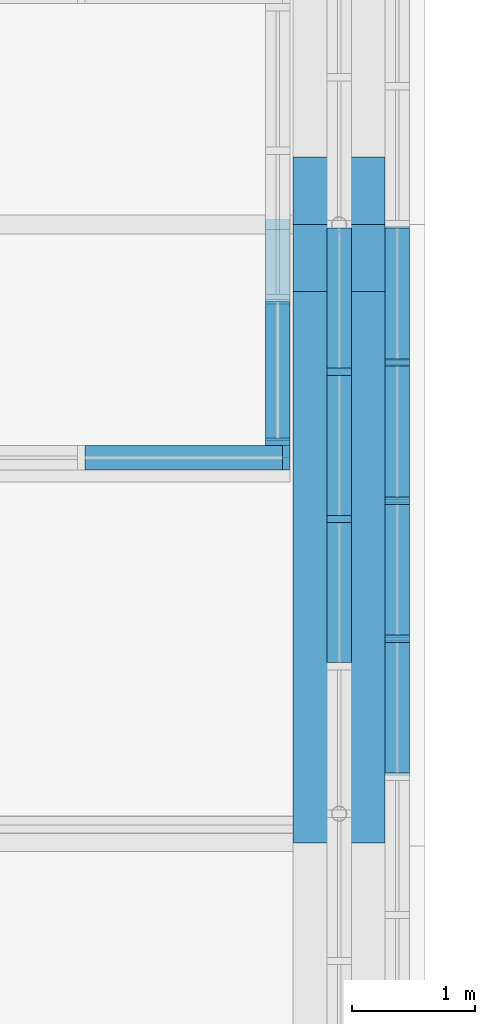
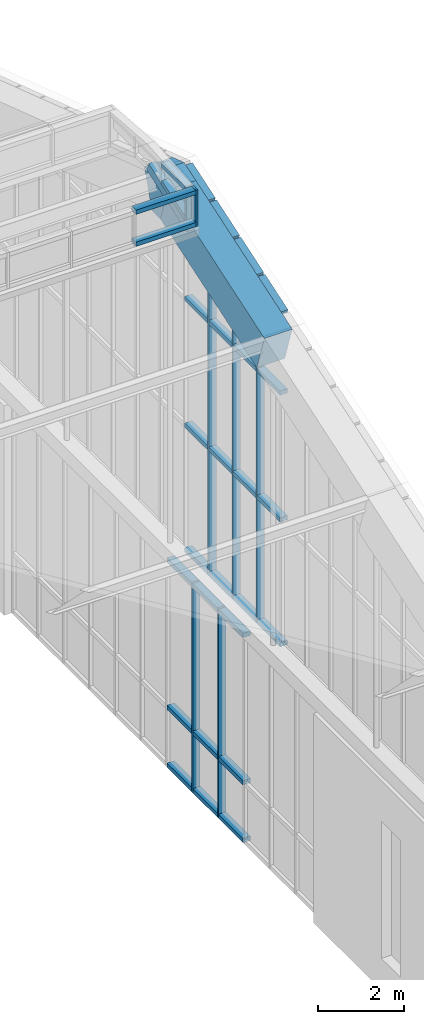
# One storey, part 95 of 149: 38 members, 1 beam, 4 elements without a shape of their own.
"""IFC4 building model written with IfcOpenShell, lengths in metres."""

import ifcopenshell
import ifcopenshell.guid

model = None  # the IFC model being written
_history = None  # IfcOwnerHistory: only IFC2X3 demands one
_inside = {}  # id of a spatial element -> (the spatial element, [elements in it])
_under = {}  # id of a project, library or spatial element -> (it, [spatial elements below it])
_declared = {}  # id of a project -> (the project, [libraries it declares])
_typed = {}  # id of a type object -> (the type object, [elements of that type])
_made_of = {}  # id of a material, layer set ... -> (it, [elements and type objects made of it])


def new_model(schema):
    """Start an empty IFC model of exactly this schema.

    Asked for "IFC4X3", IfcOpenShell would pick the latest addendum, in which some entities
    have other attributes; the version numbers below select the first issue.
    IFC2X3 requires an IfcOwnerHistory on every rooted entity: one is made here for all.
    """
    global model, _history
    if schema == "IFC4X3":
        model = ifcopenshell.file(schema_version=(4, 3, 0, 0))
    else:
        model = ifcopenshell.file(schema=schema)
    _inside.clear()
    _under.clear()
    _declared.clear()
    _typed.clear()
    _made_of.clear()
    _history = None
    if model.schema == "IFC2X3":
        org = make("IfcOrganization", Name="unknown")
        user = make(
            "IfcPersonAndOrganization",
            ThePerson=make("IfcPerson", FamilyName="unknown"),
            TheOrganization=org,
        )
        app = make(
            "IfcApplication",
            ApplicationDeveloper=org,
            Version="unknown",
            ApplicationFullName="unknown",
            ApplicationIdentifier="unknown",
        )
        _history = make(
            "IfcOwnerHistory",
            OwningUser=user,
            OwningApplication=app,
            ChangeAction="ADDED",
            CreationDate=0,
        )
    return model


def make(cls, **values):
    """One entity of the class cls with the attributes given. An attribute that is None is left unset."""
    return model.create_entity(
        cls, **{name: value for name, value in values.items() if value is not None}
    )


def rooted(cls, **values):
    """An entity with a GlobalId (a new one), such as an element, a storey or a relation."""
    return make(cls, GlobalId=ifcopenshell.guid.new(), OwnerHistory=_history, **values)


def si_unit(unit_type, name, prefix=None):
    """IfcSIUnit, for example si_unit("LENGTHUNIT", "METRE", prefix="MILLI")."""
    return make("IfcSIUnit", UnitType=unit_type, Prefix=prefix, Name=name)


def assignment(units):
    """IfcUnitAssignment: the units of a project."""
    return None if units is None else make("IfcUnitAssignment", Units=units)


def point(xyz):
    """IfcCartesianPoint."""
    return None if xyz is None else make("IfcCartesianPoint", Coordinates=xyz)


def direction(xyz):
    """IfcDirection."""
    return None if xyz is None else make("IfcDirection", DirectionRatios=xyz)


def frame(location, z_axis=None, x_axis=None):
    """IfcAxis2Placement3D, a coordinate frame: its origin and axes. An axis left out is left unset."""
    return make(
        "IfcAxis2Placement3D",
        Location=point(location),
        Axis=direction(z_axis),
        RefDirection=direction(x_axis),
    )


def frame_2d(location, x_axis=None):
    """IfcAxis2Placement2D, a coordinate frame in the plane: its origin and x axis."""
    return make(
        "IfcAxis2Placement2D", Location=point(location), RefDirection=direction(x_axis)
    )


def origin():
    """The frame at (0, 0, 0) with its axes left unset."""
    return frame((0.0, 0.0, 0.0))


def origin_2d():
    """The frame at (0, 0) in the plane with its x axis left unset."""
    return frame_2d((0.0, 0.0))


def place(relative_to, where):
    """IfcLocalPlacement: puts the frame where relative to a parent placement (None: the world)."""
    return make(
        "IfcLocalPlacement", PlacementRelTo=relative_to, RelativePlacement=where
    )


def context(
    kind, dimensions, precision=None, world=None, true_north=None, identifier=None
):
    """IfcGeometricRepresentationContext, for example the 3D "Model" context."""
    return make(
        "IfcGeometricRepresentationContext",
        ContextIdentifier=identifier,
        ContextType=kind,
        CoordinateSpaceDimension=dimensions,
        Precision=precision,
        WorldCoordinateSystem=world,
        TrueNorth=true_north,
    )


def subcontext(parent, identifier, kind, view, scale=None):
    """IfcGeometricRepresentationSubContext, for example "Body" below "Model"."""
    return make(
        "IfcGeometricRepresentationSubContext",
        ContextIdentifier=identifier,
        ContextType=kind,
        ParentContext=parent,
        TargetScale=scale,
        TargetView=view,
    )


def project(units=None, contexts=None):
    """IfcProject with its units and contexts."""
    return rooted(
        "IfcProject",
        Name="project",
        RepresentationContexts=contexts,
        UnitsInContext=assignment(units),
    )


def spatial(cls, under=None, at=None, **own):
    """A site, building, storey or space (cls), placed at a placement, below another one or the project."""
    s = rooted(cls, ObjectPlacement=at, **own)
    if under is not None:
        _under.setdefault(under.id(), (under, []))[1].append(s)
    return s


def polyline(points):
    """IfcPolyline through the points."""
    return make("IfcPolyline", Points=[point(p) for p in points])


def profile(cls, at=None, kind="AREA", **sizes):
    """A parametric profile (cls). Its sizes go by their IFC names, for example OverallWidth=200.0."""
    return make(cls, ProfileType=kind, Position=at, **sizes)


def rectangle(**sizes):
    """IfcRectangleProfileDef."""
    return profile("IfcRectangleProfileDef", **sizes)


def outline(outer, holes=None, kind="AREA"):
    """IfcArbitraryClosedProfileDef: a profile drawn as a closed curve; with holes, ...WithVoids."""
    if holes is None:
        return make("IfcArbitraryClosedProfileDef", ProfileType=kind, OuterCurve=outer)
    return make(
        "IfcArbitraryProfileDefWithVoids",
        ProfileType=kind,
        OuterCurve=outer,
        InnerCurves=holes,
    )


def extrude(swept, where, along, depth):
    """IfcExtrudedAreaSolid: the profile swept, set in the frame where, extruded along a direction by depth."""
    return make(
        "IfcExtrudedAreaSolid",
        SweptArea=swept,
        Position=where,
        ExtrudedDirection=direction(along),
        Depth=depth,
    )


def shape(context_of_items, identifier, shape_type, items):
    """IfcShapeRepresentation: the items that make up one representation, for example the "Body"."""
    return make(
        "IfcShapeRepresentation",
        ContextOfItems=context_of_items,
        RepresentationIdentifier=identifier,
        RepresentationType=shape_type,
        Items=items,
    )


def material(Name=None, Category=None):
    """IfcMaterial."""
    return make("IfcMaterial", Name=Name, Category=Category)


def material_profile(
    of_material, cross_section, Name=None, Category=None, Priority=None
):
    """IfcMaterialProfile: a cross section and its material."""
    return make(
        "IfcMaterialProfile",
        Name=Name,
        Material=of_material,
        Profile=cross_section,
        Priority=Priority,
        Category=Category,
    )


def profile_set(profiles, Name=None, composite=None):
    """IfcMaterialProfileSet."""
    return make(
        "IfcMaterialProfileSet",
        Name=Name,
        MaterialProfiles=profiles,
        CompositeProfile=composite,
    )


def made_of(thing, what):
    """Note that an element or type object is made of a material, layer set ...; save() writes the relation."""
    if what is not None:
        _made_of.setdefault(what.id(), (what, []))[1].append(thing)
    return thing


def type_object(cls, material=None, **own):
    """A type object (cls), such as IfcWallType, which elements share."""
    return made_of(rooted(cls, **own), material)


def element(
    cls,
    number,
    at=None,
    inside=None,
    cuts=None,
    type_object=None,
    material=None,
    context=None,
    identifier="Body",
    shape_type=None,
    held_by="IfcProductDefinitionShape",
    body=None,
    shapes=None,
    **own,
):
    """One element of the class cls, such as IfcWall. Its Tag is "e" and its number.

    at: its placement. inside: the storey or other place that contains it. cuts: it is an
    opening in that element (IfcRelVoidsElement). A single representation is given by context,
    identifier, shape_type and body (its items); several are given by shapes. held_by: the class
    of the entity that holds the representations. save() writes the other relations.
    """
    e = rooted(cls, Tag="e%d" % number, ObjectPlacement=at, **own)
    if body is not None:
        shapes = [shape(context, identifier, shape_type, body)]
    if shapes is not None:
        e.Representation = make(held_by, Representations=shapes)
    if inside is not None:
        _inside.setdefault(inside.id(), (inside, []))[1].append(e)
    if cuts is not None:
        rooted(
            "IfcRelVoidsElement", RelatingBuildingElement=cuts, RelatedOpeningElement=e
        )
    if type_object is not None:
        _typed.setdefault(type_object.id(), (type_object, []))[1].append(e)
    return made_of(e, material)


def aggregate(whole, parts):
    """IfcRelAggregates: a whole, such as a stair, and the parts it consists of."""
    return rooted("IfcRelAggregates", RelatingObject=whole, RelatedObjects=parts)


def save(model, path):
    """Write the relations noted so far, then the file.

    IfcRelAggregates (storeys below a building ...), IfcRelContainedInSpatialStructure (elements
    in a storey), IfcRelDefinesByType, IfcRelAssociatesMaterial and IfcRelDeclares: one each for
    every whole, place, type object, material and project.
    """
    for whole, parts in _under.values():
        aggregate(whole, parts)
    for where, things in _inside.values():
        rooted(
            "IfcRelContainedInSpatialStructure",
            RelatedElements=things,
            RelatingStructure=where,
        )
    for kind, things in _typed.values():
        rooted("IfcRelDefinesByType", RelatedObjects=things, RelatingType=kind)
    for what, things in _made_of.values():
        rooted("IfcRelAssociatesMaterial", RelatedObjects=things, RelatingMaterial=what)
    for by, libraries in _declared.values():
        rooted("IfcRelDeclares", RelatingContext=by, RelatedDefinitions=libraries)
    model.write(path)


model = new_model("IFC4")

# Units and contexts
model_context = context("Model", 3, precision=1e-05, world=origin(), true_north=direction((0.0, 1.0)))
body_context = subcontext(model_context, "Body", "Model", "MODEL_VIEW")
ifc_project = project(units=[si_unit("LENGTHUNIT", "METRE"), si_unit("AREAUNIT", "SQUARE_METRE"), si_unit("VOLUMEUNIT", "CUBIC_METRE"), si_unit("PLANEANGLEUNIT", "RADIAN"), si_unit("MASSUNIT", "GRAM", prefix="KILO")], contexts=[model_context])

# Site, building, storey
site_placement = place(None, origin())
site = spatial("IfcSite", under=ifc_project, at=site_placement, CompositionType="ELEMENT")
building_placement = place(site_placement, origin())
building = spatial("IfcBuilding", under=site, at=building_placement, Name="Alderwick Market Hall", CompositionType="ELEMENT")
storey_placement = place(building_placement, frame((0.0, 0.0, 9.60009765625)))
storey = spatial("IfcBuildingStorey", under=building, at=storey_placement, Name="L01", CompositionType="ELEMENT", Elevation=9.60009765625)

# Beam
ifc_material_1 = material(Name="Concrete 5000 psi (f'c 35 MPa)", Category="concrete")
ifc_material_profile_1 = material_profile(ifc_material_1, rectangle(XDim=0.75, YDim=1.10009765625, at=origin_2d()), Name="RC 750x1100")
ifc_profile_set_1 = profile_set([ifc_material_profile_1], Name="Concrete 5000 psi (f'c 35 MPa)")
beam_type = type_object("IfcBeamType", Name="R Arch Rib Crown 750x1100", PredefinedType="BEAM", material=ifc_profile_set_1)
beam_placement = place(storey_placement, frame((151.199951171875, 74.336669921875, 14.78955078125), z_axis=(0.0, 0.948678138981, 0.316243242806), x_axis=(-1.0, 0.0, 0.0)))
element("IfcBeam", 1, at=beam_placement, inside=storey, type_object=beam_type, Name="Arch rib 8 chord 6", PredefinedType="BEAM", context=body_context, shape_type="SweptSolid", body=[
    extrude(rectangle(XDim=0.75, YDim=1.10009765625, at=origin_2d()), origin(), (0.0, 0.0, 1.0), 4.732421875),
])

# Curtain wall, members
ifc_material_2 = material(Name="Aluminium", Category="aluminium")
curtain_wall_type = type_object("IfcCurtainWallType", Name="R Curtain Wall Frame", PredefinedType="NOTDEFINED", material=ifc_material_2)
curtain_wall_1_placement = place(storey_placement, origin())
curtain_wall_1 = element("IfcCurtainWall", 2, at=curtain_wall_1_placement, inside=storey, type_object=curtain_wall_type, Name="Curtain wall GCW2", PredefinedType="NOTDEFINED")
ifc_material_profile_2 = material_profile(ifc_material_2, rectangle(XDim=0.199951171875, YDim=0.06005859375, at=origin_2d()), Name="AL 60x200")
ifc_profile_set_2 = profile_set([ifc_material_profile_2], Name="Aluminium")
member_type_1 = type_object("IfcMemberType", Name="R CW Mullion 60x200", PredefinedType="MULLION", material=ifc_profile_set_2)
member_1_placement = place(storey_placement, frame((151.199951171875, 76.800048828125, 0.0), z_axis=(0.0, 0.0, 1.0), x_axis=(1.0, 0.0, 0.0)))
member_1 = element("IfcMember", 3, at=member_1_placement, type_object=member_type_1, Name="GCW2 mullion 5", PredefinedType="MULLION", context=body_context, shape_type="SweptSolid", body=[
    extrude(rectangle(XDim=0.199951171875, YDim=0.06005859375, at=origin_2d()), origin(), (0.0, 0.0, 1.0), 5.94677734375),
])
member_2_placement = place(storey_placement, frame((151.199951171875, 78.0, 0.0), z_axis=(0.0, 0.0, 1.0), x_axis=(1.0, 0.0, 0.0)))
member_2 = element("IfcMember", 4, at=member_2_placement, type_object=member_type_1, Name="GCW2 mullion 6", PredefinedType="MULLION", context=body_context, shape_type="SweptSolid", body=[
    extrude(rectangle(XDim=0.199951171875, YDim=0.06005859375, at=origin_2d()), origin(), (0.0, 0.0, 1.0), 5.94677734375),
])

curtain_wall_2_placement = place(storey_placement, origin())
curtain_wall_2 = element("IfcCurtainWall", 5, at=curtain_wall_2_placement, inside=storey, type_object=curtain_wall_type, Name="Curtain wall GCW3", PredefinedType="NOTDEFINED")
member_3_placement = place(storey_placement, frame((151.675048828125, 75.824951171875, 5.94677734375), z_axis=(0.0, 0.0, 1.0), x_axis=(1.0, 0.0, 0.0)))
member_3 = element("IfcMember", 6, at=member_3_placement, type_object=member_type_1, Name="GCW3 mullion 22", PredefinedType="MULLION", context=body_context, shape_type="SweptSolid", body=[
    extrude(rectangle(XDim=0.199951171875, YDim=0.06005859375, at=origin_2d()), origin(), (0.0, 0.0, 1.0), 9.825439453125),
])
member_4_placement = place(storey_placement, frame((151.675048828125, 76.949951171875, 5.94677734375), z_axis=(0.0, 0.0, 1.0), x_axis=(1.0, 0.0, 0.0)))
member_4 = element("IfcMember", 7, at=member_4_placement, type_object=member_type_1, Name="GCW3 mullion 23", PredefinedType="MULLION", context=body_context, shape_type="SweptSolid", body=[
    extrude(rectangle(XDim=0.199951171875, YDim=0.06005859375, at=origin_2d()), origin(), (0.0, 0.0, 1.0), 10.200439453125),
])
member_5_placement = place(storey_placement, frame((151.675048828125, 78.074951171875, 5.94677734375), z_axis=(0.0, 0.0, 1.0), x_axis=(1.0, 0.0, 0.0)))
member_5 = element("IfcMember", 8, at=member_5_placement, type_object=member_type_1, Name="GCW3 mullion 24", PredefinedType="MULLION", context=body_context, shape_type="SweptSolid", body=[
    extrude(rectangle(XDim=0.199951171875, YDim=0.06005859375, at=origin_2d()), origin(), (0.0, 0.0, 1.0), 10.575439453125),
])

# Curtain wall, member
curtain_wall_3_placement = place(storey_placement, origin())
curtain_wall_3 = element("IfcCurtainWall", 9, at=curtain_wall_3_placement, inside=storey, type_object=curtain_wall_type, Name="Curtain wall LCW S7", PredefinedType="NOTDEFINED")
member_6_placement = place(storey_placement, frame((150.77001953125, 77.300048828125, 16.670166015625), z_axis=(0.0, 0.0, 1.0), x_axis=(0.0, 1.0, 0.0)))
member_6 = element("IfcMember", 10, at=member_6_placement, type_object=member_type_1, Name="LCW S7 mullion 9", PredefinedType="MULLION", context=body_context, shape_type="SweptSolid", body=[
    extrude(rectangle(XDim=0.199951171875, YDim=0.06005859375, at=origin_2d()), origin(), (0.0, 0.0, 1.0), 1.02978515625),
])

curtain_wall_4_placement = place(storey_placement, origin())
curtain_wall_4 = element("IfcCurtainWall", 11, at=curtain_wall_4_placement, inside=storey, type_object=curtain_wall_type, Name="Curtain wall LCW E7", PredefinedType="NOTDEFINED")
member_7_placement = place(storey_placement, frame((150.699951171875, 77.429931640625, 16.713623046875), z_axis=(0.0, 0.0, 1.0), x_axis=(1.0, 0.0, 0.0)))
member_7 = element("IfcMember", 12, at=member_7_placement, type_object=member_type_1, Name="LCW E7 mullion 1", PredefinedType="MULLION", context=body_context, shape_type="SweptSolid", body=[
    extrude(rectangle(XDim=0.199951171875, YDim=0.06005859375, at=origin_2d()), origin(), (0.0, 0.0, 1.0), 0.986328125),
])

# Member
ifc_material_profile_3 = material_profile(ifc_material_2, rectangle(XDim=0.199951171875, YDim=0.1201171875, at=origin_2d()), Name="AL 120x200")
ifc_profile_set_3 = profile_set([ifc_material_profile_3], Name="Aluminium")
member_type_2 = type_object("IfcMemberType", Name="R CW Transom 120x200", PredefinedType="USERDEFINED", material=ifc_profile_set_3)
member_8_placement = place(storey_placement, frame((151.199951171875, 75.6298828125, 0.059814453125), z_axis=(0.0, 1.0, 0.0), x_axis=(-1.0, 0.0, 0.0)))
member_8 = element("IfcMember", 13, at=member_8_placement, type_object=member_type_2, Name="GCW2 sill transom 4", ObjectType="TRANSOM", PredefinedType="USERDEFINED", context=body_context, shape_type="SweptSolid", body=[
    extrude(rectangle(XDim=0.199951171875, YDim=0.1201171875, at=origin_2d()), origin(), (0.0, 0.0, 1.0), 1.14013671875),
])

member_9_placement = place(storey_placement, frame((151.199951171875, 75.6298828125, 1.699951171875), z_axis=(0.0, 1.0, 0.0), x_axis=(-1.0, 0.0, 0.0)))
member_9 = element("IfcMember", 14, at=member_9_placement, type_object=member_type_2, Name="GCW2 transom 4.1", ObjectType="TRANSOM", PredefinedType="USERDEFINED", context=body_context, shape_type="SweptSolid", body=[
    extrude(rectangle(XDim=0.199951171875, YDim=0.1201171875, at=origin_2d()), origin(), (0.0, 0.0, 1.0), 1.14013671875),
])

member_10_placement = place(storey_placement, frame((151.199951171875, 75.6298828125, 5.88671875), z_axis=(0.0, 1.0, 0.0), x_axis=(-1.0, 0.0, 0.0)))
member_10 = element("IfcMember", 15, at=member_10_placement, type_object=member_type_2, Name="GCW2 head transom 4", ObjectType="TRANSOM", PredefinedType="USERDEFINED", context=body_context, shape_type="SweptSolid", body=[
    extrude(rectangle(XDim=0.199951171875, YDim=0.1201171875, at=origin_2d()), origin(), (0.0, 0.0, 1.0), 1.14013671875),
])

member_11_placement = place(storey_placement, frame((151.199951171875, 76.830078125, 0.059814453125), z_axis=(0.0, 1.0, 0.0), x_axis=(-1.0, 0.0, 0.0)))
member_11 = element("IfcMember", 16, at=member_11_placement, type_object=member_type_2, Name="GCW2 sill transom 5", ObjectType="TRANSOM", PredefinedType="USERDEFINED", context=body_context, shape_type="SweptSolid", body=[
    extrude(rectangle(XDim=0.199951171875, YDim=0.1201171875, at=origin_2d()), origin(), (0.0, 0.0, 1.0), 1.139892578125),
])

member_12_placement = place(storey_placement, frame((151.199951171875, 76.830078125, 1.699951171875), z_axis=(0.0, 1.0, 0.0), x_axis=(-1.0, 0.0, 0.0)))
member_12 = element("IfcMember", 17, at=member_12_placement, type_object=member_type_2, Name="GCW2 transom 5.1", ObjectType="TRANSOM", PredefinedType="USERDEFINED", context=body_context, shape_type="SweptSolid", body=[
    extrude(rectangle(XDim=0.199951171875, YDim=0.1201171875, at=origin_2d()), origin(), (0.0, 0.0, 1.0), 1.139892578125),
])

member_13_placement = place(storey_placement, frame((151.199951171875, 76.830078125, 5.88671875), z_axis=(0.0, 1.0, 0.0), x_axis=(-1.0, 0.0, 0.0)))
member_13 = element("IfcMember", 18, at=member_13_placement, type_object=member_type_2, Name="GCW2 head transom 5", ObjectType="TRANSOM", PredefinedType="USERDEFINED", context=body_context, shape_type="SweptSolid", body=[
    extrude(rectangle(XDim=0.199951171875, YDim=0.1201171875, at=origin_2d()), origin(), (0.0, 0.0, 1.0), 1.139892578125),
])

member_14_placement = place(storey_placement, frame((151.199951171875, 78.030029296875, 0.059814453125), z_axis=(0.0, 1.0, 0.0), x_axis=(-1.0, 0.0, 0.0)))
member_14 = element("IfcMember", 19, at=member_14_placement, type_object=member_type_2, Name="GCW2 sill transom 6", ObjectType="TRANSOM", PredefinedType="USERDEFINED", context=body_context, shape_type="SweptSolid", body=[
    extrude(rectangle(XDim=0.199951171875, YDim=0.1201171875, at=origin_2d()), origin(), (0.0, 0.0, 1.0), 1.139892578125),
])

member_15_placement = place(storey_placement, frame((151.199951171875, 78.030029296875, 1.699951171875), z_axis=(0.0, 1.0, 0.0), x_axis=(-1.0, 0.0, 0.0)))
member_15 = element("IfcMember", 20, at=member_15_placement, type_object=member_type_2, Name="GCW2 transom 6.1", ObjectType="TRANSOM", PredefinedType="USERDEFINED", context=body_context, shape_type="SweptSolid", body=[
    extrude(rectangle(XDim=0.199951171875, YDim=0.1201171875, at=origin_2d()), origin(), (0.0, 0.0, 1.0), 1.139892578125),
])

member_16_placement = place(storey_placement, frame((151.199951171875, 78.030029296875, 5.88671875), z_axis=(0.0, 1.0, 0.0), x_axis=(-1.0, 0.0, 0.0)))
member_16 = element("IfcMember", 21, at=member_16_placement, type_object=member_type_2, Name="GCW2 head transom 6", ObjectType="TRANSOM", PredefinedType="USERDEFINED", context=body_context, shape_type="SweptSolid", body=[
    extrude(rectangle(XDim=0.199951171875, YDim=0.1201171875, at=origin_2d()), origin(), (0.0, 0.0, 1.0), 1.139892578125),
])

aggregate(curtain_wall_1, [member_1, member_2, member_8, member_9, member_10, member_11, member_12, member_13, member_14, member_15, member_16])

member_17_placement = place(storey_placement, frame((151.675048828125, 74.72998046875, 6.006591796875), z_axis=(0.0, 1.0, 0.0), x_axis=(-1.0, 0.0, 0.0)))
member_17 = element("IfcMember", 22, at=member_17_placement, type_object=member_type_2, Name="GCW3 sill transom 21", ObjectType="TRANSOM", PredefinedType="USERDEFINED", context=body_context, shape_type="SweptSolid", body=[
    extrude(rectangle(XDim=0.199951171875, YDim=0.1201171875, at=origin_2d()), origin(), (0.0, 0.0, 1.0), 1.06494140625),
])

member_18_placement = place(storey_placement, frame((151.675048828125, 74.72998046875, 9.546630859375), z_axis=(0.0, 1.0, 0.0), x_axis=(-1.0, 0.0, 0.0)))
member_18 = element("IfcMember", 23, at=member_18_placement, type_object=member_type_2, Name="GCW3 transom 21.1", ObjectType="TRANSOM", PredefinedType="USERDEFINED", context=body_context, shape_type="SweptSolid", body=[
    extrude(rectangle(XDim=0.199951171875, YDim=0.1201171875, at=origin_2d()), origin(), (0.0, 0.0, 1.0), 1.06494140625),
])

member_19_placement = place(storey_placement, frame((151.675048828125, 74.72998046875, 13.146728515625), z_axis=(0.0, 1.0, 0.0), x_axis=(-1.0, 0.0, 0.0)))
member_19 = element("IfcMember", 24, at=member_19_placement, type_object=member_type_2, Name="GCW3 transom 21.2", ObjectType="TRANSOM", PredefinedType="USERDEFINED", context=body_context, shape_type="SweptSolid", body=[
    extrude(rectangle(XDim=0.199951171875, YDim=0.1201171875, at=origin_2d()), origin(), (0.0, 0.0, 1.0), 1.06494140625),
])

member_20_placement = place(storey_placement, frame((151.675048828125, 74.72998046875, 15.4072265625), z_axis=(0.0, 0.948683298051, 0.316227766017), x_axis=(-1.0, 0.0, 0.0)))
member_20 = element("IfcMember", 25, at=member_20_placement, type_object=member_type_2, Name="GCW3 arch cap 21", ObjectType="TRANSOM", PredefinedType="USERDEFINED", context=body_context, shape_type="SweptSolid", body=[
    extrude(rectangle(XDim=0.199951171875, YDim=0.1201171875, at=origin_2d()), origin(), (0.0, 0.0, 1.0), 1.12255859375),
])

member_21_placement = place(storey_placement, frame((151.675048828125, 75.85498046875, 6.006591796875), z_axis=(0.0, 1.0, 0.0), x_axis=(-1.0, 0.0, 0.0)))
member_21 = element("IfcMember", 26, at=member_21_placement, type_object=member_type_2, Name="GCW3 sill transom 22", ObjectType="TRANSOM", PredefinedType="USERDEFINED", context=body_context, shape_type="SweptSolid", body=[
    extrude(rectangle(XDim=0.199951171875, YDim=0.1201171875, at=origin_2d()), origin(), (0.0, 0.0, 1.0), 1.06494140625),
])

member_22_placement = place(storey_placement, frame((151.675048828125, 75.85498046875, 9.546630859375), z_axis=(0.0, 1.0, 0.0), x_axis=(-1.0, 0.0, 0.0)))
member_22 = element("IfcMember", 27, at=member_22_placement, type_object=member_type_2, Name="GCW3 transom 22.1", ObjectType="TRANSOM", PredefinedType="USERDEFINED", context=body_context, shape_type="SweptSolid", body=[
    extrude(rectangle(XDim=0.199951171875, YDim=0.1201171875, at=origin_2d()), origin(), (0.0, 0.0, 1.0), 1.06494140625),
])

member_23_placement = place(storey_placement, frame((151.675048828125, 75.85498046875, 13.146728515625), z_axis=(0.0, 1.0, 0.0), x_axis=(-1.0, 0.0, 0.0)))
member_23 = element("IfcMember", 28, at=member_23_placement, type_object=member_type_2, Name="GCW3 transom 22.2", ObjectType="TRANSOM", PredefinedType="USERDEFINED", context=body_context, shape_type="SweptSolid", body=[
    extrude(rectangle(XDim=0.199951171875, YDim=0.1201171875, at=origin_2d()), origin(), (0.0, 0.0, 1.0), 1.06494140625),
])

member_24_placement = place(storey_placement, frame((151.675048828125, 75.85498046875, 15.7822265625), z_axis=(0.0, 0.948683298051, 0.316227766017), x_axis=(-1.0, 0.0, 0.0)))
member_24 = element("IfcMember", 29, at=member_24_placement, type_object=member_type_2, Name="GCW3 arch cap 22", ObjectType="TRANSOM", PredefinedType="USERDEFINED", context=body_context, shape_type="SweptSolid", body=[
    extrude(rectangle(XDim=0.199951171875, YDim=0.1201171875, at=origin_2d()), origin(), (0.0, 0.0, 1.0), 1.12255859375),
])

member_25_placement = place(storey_placement, frame((151.675048828125, 76.97998046875, 6.006591796875), z_axis=(0.0, 1.0, 0.0), x_axis=(-1.0, 0.0, 0.0)))
member_25 = element("IfcMember", 30, at=member_25_placement, type_object=member_type_2, Name="GCW3 sill transom 23", ObjectType="TRANSOM", PredefinedType="USERDEFINED", context=body_context, shape_type="SweptSolid", body=[
    extrude(rectangle(XDim=0.199951171875, YDim=0.1201171875, at=origin_2d()), origin(), (0.0, 0.0, 1.0), 1.06494140625),
])

member_26_placement = place(storey_placement, frame((151.675048828125, 76.97998046875, 9.546630859375), z_axis=(0.0, 1.0, 0.0), x_axis=(-1.0, 0.0, 0.0)))
member_26 = element("IfcMember", 31, at=member_26_placement, type_object=member_type_2, Name="GCW3 transom 23.1", ObjectType="TRANSOM", PredefinedType="USERDEFINED", context=body_context, shape_type="SweptSolid", body=[
    extrude(rectangle(XDim=0.199951171875, YDim=0.1201171875, at=origin_2d()), origin(), (0.0, 0.0, 1.0), 1.06494140625),
])

member_27_placement = place(storey_placement, frame((151.675048828125, 76.97998046875, 13.146728515625), z_axis=(0.0, 1.0, 0.0), x_axis=(-1.0, 0.0, 0.0)))
member_27 = element("IfcMember", 32, at=member_27_placement, type_object=member_type_2, Name="GCW3 transom 23.2", ObjectType="TRANSOM", PredefinedType="USERDEFINED", context=body_context, shape_type="SweptSolid", body=[
    extrude(rectangle(XDim=0.199951171875, YDim=0.1201171875, at=origin_2d()), origin(), (0.0, 0.0, 1.0), 1.06494140625),
])

member_28_placement = place(storey_placement, frame((151.675048828125, 76.97998046875, 16.1572265625), z_axis=(0.0, 0.948683298051, 0.316227766017), x_axis=(-1.0, 0.0, 0.0)))
member_28 = element("IfcMember", 33, at=member_28_placement, type_object=member_type_2, Name="GCW3 arch cap 23", ObjectType="TRANSOM", PredefinedType="USERDEFINED", context=body_context, shape_type="SweptSolid", body=[
    extrude(rectangle(XDim=0.199951171875, YDim=0.1201171875, at=origin_2d()), origin(), (0.0, 0.0, 1.0), 1.12255859375),
])

member_29_placement = place(storey_placement, frame((151.675048828125, 78.10498046875, 6.006591796875), z_axis=(0.0, 1.0, 0.0), x_axis=(-1.0, 0.0, 0.0)))
member_29 = element("IfcMember", 34, at=member_29_placement, type_object=member_type_2, Name="GCW3 sill transom 24", ObjectType="TRANSOM", PredefinedType="USERDEFINED", context=body_context, shape_type="SweptSolid", body=[
    extrude(rectangle(XDim=0.199951171875, YDim=0.1201171875, at=origin_2d()), origin(), (0.0, 0.0, 1.0), 1.06494140625),
])

member_30_placement = place(storey_placement, frame((151.675048828125, 78.10498046875, 9.546630859375), z_axis=(0.0, 1.0, 0.0), x_axis=(-1.0, 0.0, 0.0)))
member_30 = element("IfcMember", 35, at=member_30_placement, type_object=member_type_2, Name="GCW3 transom 24.1", ObjectType="TRANSOM", PredefinedType="USERDEFINED", context=body_context, shape_type="SweptSolid", body=[
    extrude(rectangle(XDim=0.199951171875, YDim=0.1201171875, at=origin_2d()), origin(), (0.0, 0.0, 1.0), 1.06494140625),
])

member_31_placement = place(storey_placement, frame((151.675048828125, 78.10498046875, 13.146728515625), z_axis=(0.0, 1.0, 0.0), x_axis=(-1.0, 0.0, 0.0)))
member_31 = element("IfcMember", 36, at=member_31_placement, type_object=member_type_2, Name="GCW3 transom 24.2", ObjectType="TRANSOM", PredefinedType="USERDEFINED", context=body_context, shape_type="SweptSolid", body=[
    extrude(rectangle(XDim=0.199951171875, YDim=0.1201171875, at=origin_2d()), origin(), (0.0, 0.0, 1.0), 1.06494140625),
])

member_32_placement = place(storey_placement, frame((151.675048828125, 78.10498046875, 16.5322265625), z_axis=(0.0, 0.948683298051, 0.316227766017), x_axis=(-1.0, 0.0, 0.0)))
member_32 = element("IfcMember", 37, at=member_32_placement, type_object=member_type_2, Name="GCW3 arch cap 24", ObjectType="TRANSOM", PredefinedType="USERDEFINED", context=body_context, shape_type="SweptSolid", body=[
    extrude(rectangle(XDim=0.199951171875, YDim=0.1201171875, at=origin_2d()), origin(), (0.0, 0.0, 1.0), 1.12255859375),
])

aggregate(curtain_wall_2, [member_3, member_4, member_5, member_17, member_18, member_19, member_20, member_21, member_22, member_23, member_24, member_25, member_26, member_27, member_28, member_29, member_30, member_31, member_32])

member_33_placement = place(storey_placement, frame((149.1298828125, 77.300048828125, 16.730224609375), z_axis=(1.0, 0.0, 0.0), x_axis=(0.0, 1.0, 0.0)))
member_33 = element("IfcMember", 38, at=member_33_placement, type_object=member_type_2, Name="LCW S7 sill transom 8", ObjectType="TRANSOM", PredefinedType="USERDEFINED", context=body_context, shape_type="SweptSolid", body=[
    extrude(rectangle(XDim=0.199951171875, YDim=0.1201171875, at=origin_2d()), origin(), (0.0, 0.0, 1.0), 1.610107421875),
])

member_34_placement = place(storey_placement, frame((149.1298828125, 77.300048828125, 17.639892578125), z_axis=(1.0, 0.0, 0.0), x_axis=(0.0, 1.0, 0.0)))
member_34 = element("IfcMember", 39, at=member_34_placement, type_object=member_type_2, Name="LCW S7 head transom 8", ObjectType="TRANSOM", PredefinedType="USERDEFINED", context=body_context, shape_type="SweptSolid", body=[
    extrude(rectangle(XDim=0.199951171875, YDim=0.1201171875, at=origin_2d()), origin(), (0.0, 0.0, 1.0), 1.610107421875),
])

aggregate(curtain_wall_3, [member_6, member_33, member_34])

member_35_placement = place(storey_placement, frame((150.699951171875, 77.4599609375, 16.783447265625), z_axis=(0.0, 0.948662432506, 0.316290355768), x_axis=(-1.0, 0.0, 0.0)))
member_35 = element("IfcMember", 40, at=member_35_placement, type_object=member_type_2, Name="LCW E7 sill transom 1", ObjectType="TRANSOM", PredefinedType="USERDEFINED", context=body_context, shape_type="SweptSolid", body=[
    extrude(rectangle(XDim=0.199951171875, YDim=0.1201171875, at=origin_2d()), origin(), (0.0, 0.0, 1.0), 1.170166015625),
])

member_36_placement = place(storey_placement, frame((150.699951171875, 77.4599609375, 17.639892578125), z_axis=(0.0, 1.0, 0.0), x_axis=(-1.0, 0.0, 0.0)))
member_36 = element("IfcMember", 41, at=member_36_placement, type_object=member_type_2, Name="LCW E7 head transom 1", ObjectType="TRANSOM", PredefinedType="USERDEFINED", context=body_context, shape_type="SweptSolid", body=[
    extrude(rectangle(XDim=0.199951171875, YDim=0.1201171875, at=origin_2d()), origin(), (0.0, 0.0, 1.0), 1.110107421875),
])

ifc_material_profile_4 = material_profile(ifc_material_1, outline(polyline([(-0.199951171875, 0.0), (-0.5478515625, 1.04345703125), (0.0, 1.22607421875), (0.5478515625, 1.04345703125), (0.199951171875, 0.0), (-0.199951171875, 0.0)])), Name="RC crown knuckle")
ifc_profile_set_4 = profile_set([ifc_material_profile_4], Name="Concrete 5000 psi (f'c 35 MPa)")
member_type_3 = type_object("IfcMemberType", Name="R Crown Knuckle 750", PredefinedType="MEMBER", material=ifc_profile_set_4)
member_37_placement = place(storey_placement, frame((150.824951171875, 79.199951171875, 15.764404296875), z_axis=(1.0, 0.0, 0.0), x_axis=(0.0, 1.0, 0.0)))
element("IfcMember", 42, at=member_37_placement, inside=storey, type_object=member_type_3, Name="Crown knuckle 8", PredefinedType="MEMBER", context=body_context, shape_type="SweptSolid", body=[
    extrude(outline(polyline([(-0.199951171875, 0.0), (-0.5478515625, 1.04345703125), (0.0, 1.22607421875), (0.5478515625, 1.04345703125), (0.199951171875, 0.0), (-0.199951171875, 0.0)])), origin(), (0.0, 0.0, 1.0), 0.75),
])

ifc_material_3 = material(Name="Steel ASTM A572 Grade 50", Category="steel")
ifc_material_profile_5 = material_profile(ifc_material_3, rectangle(XDim=0.199951171875, YDim=0.25, at=origin_2d()), Name="Steel plate curb 200x250")
ifc_profile_set_5 = profile_set([ifc_material_profile_5], Name="Steel ASTM A572 Grade 50")
member_type_4 = type_object("IfcMemberType", Name="R Lantern Curb 200x250", PredefinedType="MEMBER", material=ifc_profile_set_5)
member_38_placement = place(storey_placement, frame((150.699951171875, 77.335205078125, 16.5849609375), z_axis=(0.0, 0.948683298051, 0.316227766017), x_axis=(-1.0, 0.0, 0.0)))
member_38 = element("IfcMember", 43, at=member_38_placement, type_object=member_type_4, Name="Lantern end curb E7.1", PredefinedType="MEMBER", context=body_context, shape_type="SweptSolid", body=[
    extrude(rectangle(XDim=0.199951171875, YDim=0.25, at=origin_2d()), origin(), (0.0, 0.0, 1.0), 1.965576171875),
])

aggregate(curtain_wall_4, [member_7, member_35, member_36, member_38])

save(model, "model.ifc")
